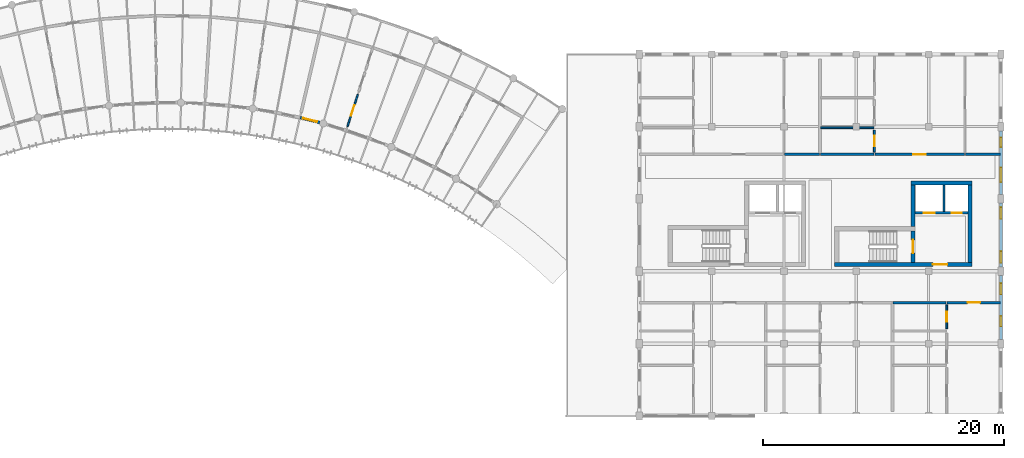
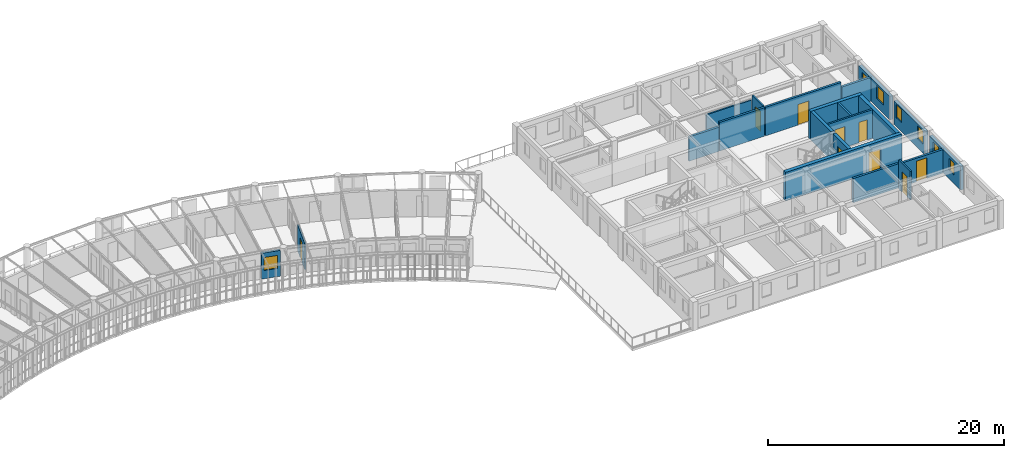
# One storey, part 80 of 101: 21 walls, 9 doors, 7 windows, 16 openings.
"""IFC4 building model written with IfcOpenShell, lengths in metres."""

import ifcopenshell
import ifcopenshell.guid

model = None  # the IFC model being written
_history = None  # IfcOwnerHistory: only IFC2X3 demands one
_inside = {}  # id of a spatial element -> (the spatial element, [elements in it])
_under = {}  # id of a project, library or spatial element -> (it, [spatial elements below it])
_declared = {}  # id of a project -> (the project, [libraries it declares])
_typed = {}  # id of a type object -> (the type object, [elements of that type])
_made_of = {}  # id of a material, layer set ... -> (it, [elements and type objects made of it])


def new_model(schema):
    """Start an empty IFC model of exactly this schema.

    Asked for "IFC4X3", IfcOpenShell would pick the latest addendum, in which some entities
    have other attributes; the version numbers below select the first issue.
    IFC2X3 requires an IfcOwnerHistory on every rooted entity: one is made here for all.
    """
    global model, _history
    if schema == "IFC4X3":
        model = ifcopenshell.file(schema_version=(4, 3, 0, 0))
    else:
        model = ifcopenshell.file(schema=schema)
    _inside.clear()
    _under.clear()
    _declared.clear()
    _typed.clear()
    _made_of.clear()
    _history = None
    if model.schema == "IFC2X3":
        org = make("IfcOrganization", Name="unknown")
        user = make(
            "IfcPersonAndOrganization",
            ThePerson=make("IfcPerson", FamilyName="unknown"),
            TheOrganization=org,
        )
        app = make(
            "IfcApplication",
            ApplicationDeveloper=org,
            Version="unknown",
            ApplicationFullName="unknown",
            ApplicationIdentifier="unknown",
        )
        _history = make(
            "IfcOwnerHistory",
            OwningUser=user,
            OwningApplication=app,
            ChangeAction="ADDED",
            CreationDate=0,
        )
    return model


def make(cls, **values):
    """One entity of the class cls with the attributes given. An attribute that is None is left unset."""
    return model.create_entity(
        cls, **{name: value for name, value in values.items() if value is not None}
    )


def rooted(cls, **values):
    """An entity with a GlobalId (a new one), such as an element, a storey or a relation."""
    return make(cls, GlobalId=ifcopenshell.guid.new(), OwnerHistory=_history, **values)


def si_unit(unit_type, name, prefix=None):
    """IfcSIUnit, for example si_unit("LENGTHUNIT", "METRE", prefix="MILLI")."""
    return make("IfcSIUnit", UnitType=unit_type, Prefix=prefix, Name=name)


def assignment(units):
    """IfcUnitAssignment: the units of a project."""
    return None if units is None else make("IfcUnitAssignment", Units=units)


def point(xyz):
    """IfcCartesianPoint."""
    return None if xyz is None else make("IfcCartesianPoint", Coordinates=xyz)


def direction(xyz):
    """IfcDirection."""
    return None if xyz is None else make("IfcDirection", DirectionRatios=xyz)


def frame(location, z_axis=None, x_axis=None):
    """IfcAxis2Placement3D, a coordinate frame: its origin and axes. An axis left out is left unset."""
    return make(
        "IfcAxis2Placement3D",
        Location=point(location),
        Axis=direction(z_axis),
        RefDirection=direction(x_axis),
    )


def frame_2d(location, x_axis=None):
    """IfcAxis2Placement2D, a coordinate frame in the plane: its origin and x axis."""
    return make(
        "IfcAxis2Placement2D", Location=point(location), RefDirection=direction(x_axis)
    )


def origin():
    """The frame at (0, 0, 0) with its axes left unset."""
    return frame((0.0, 0.0, 0.0))


def place(relative_to, where):
    """IfcLocalPlacement: puts the frame where relative to a parent placement (None: the world)."""
    return make(
        "IfcLocalPlacement", PlacementRelTo=relative_to, RelativePlacement=where
    )


def context(
    kind, dimensions, precision=None, world=None, true_north=None, identifier=None
):
    """IfcGeometricRepresentationContext, for example the 3D "Model" context."""
    return make(
        "IfcGeometricRepresentationContext",
        ContextIdentifier=identifier,
        ContextType=kind,
        CoordinateSpaceDimension=dimensions,
        Precision=precision,
        WorldCoordinateSystem=world,
        TrueNorth=true_north,
    )


def subcontext(parent, identifier, kind, view, scale=None):
    """IfcGeometricRepresentationSubContext, for example "Body" below "Model"."""
    return make(
        "IfcGeometricRepresentationSubContext",
        ContextIdentifier=identifier,
        ContextType=kind,
        ParentContext=parent,
        TargetScale=scale,
        TargetView=view,
    )


def project(units=None, contexts=None):
    """IfcProject with its units and contexts."""
    return rooted(
        "IfcProject",
        Name="project",
        RepresentationContexts=contexts,
        UnitsInContext=assignment(units),
    )


def spatial(cls, under=None, at=None, **own):
    """A site, building, storey or space (cls), placed at a placement, below another one or the project."""
    s = rooted(cls, ObjectPlacement=at, **own)
    if under is not None:
        _under.setdefault(under.id(), (under, []))[1].append(s)
    return s


def profile(cls, at=None, kind="AREA", **sizes):
    """A parametric profile (cls). Its sizes go by their IFC names, for example OverallWidth=200.0."""
    return make(cls, ProfileType=kind, Position=at, **sizes)


def rectangle(**sizes):
    """IfcRectangleProfileDef."""
    return profile("IfcRectangleProfileDef", **sizes)


def extrude(swept, where, along, depth):
    """IfcExtrudedAreaSolid: the profile swept, set in the frame where, extruded along a direction by depth."""
    return make(
        "IfcExtrudedAreaSolid",
        SweptArea=swept,
        Position=where,
        ExtrudedDirection=direction(along),
        Depth=depth,
    )


def shape(context_of_items, identifier, shape_type, items):
    """IfcShapeRepresentation: the items that make up one representation, for example the "Body"."""
    return make(
        "IfcShapeRepresentation",
        ContextOfItems=context_of_items,
        RepresentationIdentifier=identifier,
        RepresentationType=shape_type,
        Items=items,
    )


def material(Name=None, Category=None):
    """IfcMaterial."""
    return make("IfcMaterial", Name=Name, Category=Category)


def layer(
    of_material, thickness, ventilated=None, Name=None, Category=None, Priority=None
):
    """IfcMaterialLayer: one layer of a wall or slab, of a material (None: an air gap)."""
    return make(
        "IfcMaterialLayer",
        Material=of_material,
        LayerThickness=thickness,
        IsVentilated=ventilated,
        Name=Name,
        Category=Category,
        Priority=Priority,
    )


def layer_set(layers, Name=None):
    """IfcMaterialLayerSet."""
    return make("IfcMaterialLayerSet", MaterialLayers=layers, LayerSetName=Name)


def made_of(thing, what):
    """Note that an element or type object is made of a material, layer set ...; save() writes the relation."""
    if what is not None:
        _made_of.setdefault(what.id(), (what, []))[1].append(thing)
    return thing


def type_object(cls, material=None, **own):
    """A type object (cls), such as IfcWallType, which elements share."""
    return made_of(rooted(cls, **own), material)


def element(
    cls,
    number,
    at=None,
    inside=None,
    cuts=None,
    type_object=None,
    material=None,
    context=None,
    identifier="Body",
    shape_type=None,
    held_by="IfcProductDefinitionShape",
    body=None,
    shapes=None,
    **own,
):
    """One element of the class cls, such as IfcWall. Its Tag is "e" and its number.

    at: its placement. inside: the storey or other place that contains it. cuts: it is an
    opening in that element (IfcRelVoidsElement). A single representation is given by context,
    identifier, shape_type and body (its items); several are given by shapes. held_by: the class
    of the entity that holds the representations. save() writes the other relations.
    """
    e = rooted(cls, Tag="e%d" % number, ObjectPlacement=at, **own)
    if body is not None:
        shapes = [shape(context, identifier, shape_type, body)]
    if shapes is not None:
        e.Representation = make(held_by, Representations=shapes)
    if inside is not None:
        _inside.setdefault(inside.id(), (inside, []))[1].append(e)
    if cuts is not None:
        rooted(
            "IfcRelVoidsElement", RelatingBuildingElement=cuts, RelatedOpeningElement=e
        )
    if type_object is not None:
        _typed.setdefault(type_object.id(), (type_object, []))[1].append(e)
    return made_of(e, material)


def fill(opening, filler):
    """IfcRelFillsElement: the door or window that sits in an opening."""
    return rooted(
        "IfcRelFillsElement",
        RelatingOpeningElement=opening,
        RelatedBuildingElement=filler,
    )


def aggregate(whole, parts):
    """IfcRelAggregates: a whole, such as a stair, and the parts it consists of."""
    return rooted("IfcRelAggregates", RelatingObject=whole, RelatedObjects=parts)


def save(model, path):
    """Write the relations noted so far, then the file.

    IfcRelAggregates (storeys below a building ...), IfcRelContainedInSpatialStructure (elements
    in a storey), IfcRelDefinesByType, IfcRelAssociatesMaterial and IfcRelDeclares: one each for
    every whole, place, type object, material and project.
    """
    for whole, parts in _under.values():
        aggregate(whole, parts)
    for where, things in _inside.values():
        rooted(
            "IfcRelContainedInSpatialStructure",
            RelatedElements=things,
            RelatingStructure=where,
        )
    for kind, things in _typed.values():
        rooted("IfcRelDefinesByType", RelatedObjects=things, RelatingType=kind)
    for what, things in _made_of.values():
        rooted("IfcRelAssociatesMaterial", RelatedObjects=things, RelatingMaterial=what)
    for by, libraries in _declared.values():
        rooted("IfcRelDeclares", RelatingContext=by, RelatedDefinitions=libraries)
    model.write(path)


model = new_model("IFC4")

# Units and contexts
model_context = context("Model", 3, precision=1e-05, world=origin(), true_north=direction((0.0, 1.0)))
body_context = subcontext(model_context, "Body", "Model", "MODEL_VIEW")
ifc_project = project(units=[si_unit("LENGTHUNIT", "METRE"), si_unit("AREAUNIT", "SQUARE_METRE"), si_unit("VOLUMEUNIT", "CUBIC_METRE"), si_unit("PLANEANGLEUNIT", "RADIAN"), si_unit("MASSUNIT", "GRAM", prefix="KILO"), si_unit("POWERUNIT", "WATT"), si_unit("THERMODYNAMICTEMPERATUREUNIT", "KELVIN")], contexts=[model_context])

# Site, building, storey
site_placement = place(None, origin())
site = spatial("IfcSite", under=ifc_project, at=site_placement, CompositionType="ELEMENT")
building_placement = place(site_placement, origin())
building = spatial("IfcBuilding", under=site, at=building_placement, Name="Ruvembo Vaulted Housing Court", CompositionType="ELEMENT")
storey_placement = place(building_placement, frame((0.0, 0.0, 17.300048828125)))
storey = spatial("IfcBuildingStorey", under=building, at=storey_placement, Name="L05", CompositionType="ELEMENT", Elevation=17.300048828125)

# Wall, opening, door
ifc_material_1 = material(Name="Concrete C35/45", Category="concrete")
ifc_layer_1 = layer(ifc_material_1, 0.300048828125, Name="Concrete C35/45")
ifc_layer_set_1 = layer_set([ifc_layer_1], Name="Concrete C35/45")
wall_type_1 = type_object("IfcWallType", Name="WL-CORE-300", PredefinedType="SHEAR", material=ifc_layer_set_1)
wall_1_placement = place(storey_placement, frame((178.699951171875, 84.75, 0.0), z_axis=(0.0, 0.0, 1.0), x_axis=(0.0, 1.0, 0.0)))
wall_1 = element("IfcWall", 1, at=wall_1_placement, inside=storey, type_object=wall_type_1, Name="Core D2 L05 Stair-Lobby Shear Wall", PredefinedType="SHEAR", context=body_context, shape_type="SweptSolid", body=[
    extrude(rectangle(XDim=2.60009765625, YDim=0.300048828125, at=frame_2d((1.300048828125, 0.0))), origin(), (0.0, 0.0, 1.0), 2.96484375),
])
opening_1_placement = place(wall_1_placement, frame((0.75, 0.0, 0.0)))
opening_1 = element("IfcOpeningElement", 2, at=opening_1_placement, cuts=wall_1, Name="Opening SD2", PredefinedType="OPENING", context=body_context, shape_type="SweptSolid", body=[
    extrude(rectangle(XDim=1.10009765625, YDim=2.14990234375, at=frame_2d((0.550048828125, 1.074951171875))), frame((0.0, 0.159912109375, 0.0), z_axis=(0.0, -1.0, 0.0), x_axis=(1.0, 0.0, 0.0)), (0.0, 0.0, 1.0), 0.320068359375),
])
ifc_material_2 = material(Name="Galvanised Painted Steel", Category="steel")
door_type_1 = type_object("IfcDoorType", Name="DR-STAIR-1100x2150", OperationType="NOTDEFINED", PredefinedType="DOOR", material=ifc_material_2)
door_1_placement = place(opening_1_placement, origin())
door_1 = element("IfcDoor", 3, at=door_1_placement, inside=storey, type_object=door_type_1, Name="Stair ST-D2 L05 Fire Door", OperationType="SINGLE_SWING_RIGHT", OverallHeight=2.14990234375, OverallWidth=1.10009765625, PredefinedType="DOOR", context=body_context, shape_type="SweptSolid", body=[
    extrude(rectangle(XDim=1.10009765625, YDim=2.14990234375, at=frame_2d((0.550048828125, 1.074951171875))), frame((0.0, 0.02490234375, 0.0), z_axis=(0.0, -1.0, 0.0), x_axis=(1.0, 0.0, 0.0)), (0.0, 0.0, 1.0), 0.050048828125),
])
fill(opening_1, door_1)

# Wall
wall_2_placement = place(storey_placement, frame((178.699951171875, 87.699951171875, 0.0), z_axis=(0.0, 0.0, 1.0), x_axis=(0.0, 1.0, 0.0)))
element("IfcWall", 4, at=wall_2_placement, inside=storey, type_object=wall_type_1, Name="Core D2 L05 Upper West Shear Wall", PredefinedType="SHEAR", context=body_context, shape_type="SweptSolid", body=[
    extrude(rectangle(XDim=3.449951171875, YDim=0.300048828125, at=frame_2d((1.72509765625, 0.0))), origin(), (0.0, 0.0, 1.0), 2.96484375),
])

# Wall, opening, door
ifc_layer_2 = layer(ifc_material_1, 0.35009765625, Name="Concrete C35/45")
ifc_layer_set_2 = layer_set([ifc_layer_2], Name="Concrete C35/45")
wall_type_2 = type_object("IfcWallType", Name="WL-CORE-350", PredefinedType="SHEAR", material=ifc_layer_set_2)
wall_3_placement = place(storey_placement, frame((172.199951171875, 84.574951171875, 0.0), z_axis=(0.0, 0.0, 1.0), x_axis=(1.0, 0.0, 0.0)))
wall_3 = element("IfcWall", 5, at=wall_3_placement, inside=storey, type_object=wall_type_2, Name="Core D2 L05 South Shear Wall", PredefinedType="SHEAR", context=body_context, shape_type="SweptSolid", body=[
    extrude(rectangle(XDim=11.400146484375, YDim=0.35009765625, at=frame_2d((5.7001953125, 0.0))), origin(), (0.0, 0.0, 1.0), 2.96484375),
])
opening_2_placement = place(wall_3_placement, frame((8.14990234375, 0.0, 0.0)))
opening_2 = element("IfcOpeningElement", 6, at=opening_2_placement, cuts=wall_3, Name="Opening LD3", PredefinedType="OPENING", context=body_context, shape_type="SweptSolid", body=[
    extrude(rectangle(XDim=1.199951171875, YDim=2.14990234375, at=frame_2d((0.60009765625, 1.074951171875))), frame((0.0, 0.18505859375, 0.0), z_axis=(0.0, -1.0, 0.0), x_axis=(1.0, 0.0, 0.0)), (0.0, 0.0, 1.0), 0.3701171875),
])
door_type_2 = type_object("IfcDoorType", Name="DR-LOB-1200x2150", OperationType="NOTDEFINED", PredefinedType="DOOR", material=ifc_material_2)
door_2_placement = place(opening_2_placement, origin())
door_2 = element("IfcDoor", 7, at=door_2_placement, inside=storey, type_object=door_type_2, Name="Core D2 L05 Lobby Fire Door", OperationType="SINGLE_SWING_LEFT", OverallHeight=2.14990234375, OverallWidth=1.199951171875, PredefinedType="DOOR", context=body_context, shape_type="SweptSolid", body=[
    extrude(rectangle(XDim=1.199951171875, YDim=2.14990234375, at=frame_2d((0.60009765625, 1.074951171875))), frame((0.0, 0.02490234375, 0.0), z_axis=(0.0, -1.0, 0.0), x_axis=(1.0, 0.0, 0.0)), (0.0, 0.0, 1.0), 0.050048828125),
])
fill(opening_2, door_2)

# Walls
wall_4_placement = place(storey_placement, frame((183.60009765625, 91.324951171875, 0.0), z_axis=(0.0, 0.0, 1.0), x_axis=(-1.0, 0.0, 0.0)))
element("IfcWall", 8, at=wall_4_placement, inside=storey, type_object=wall_type_2, Name="Core D2 L05 North Shear Wall", PredefinedType="SHEAR", context=body_context, shape_type="SweptSolid", body=[
    extrude(rectangle(XDim=5.050048828125, YDim=0.35009765625, at=frame_2d((2.52490234375, 0.0))), origin(), (0.0, 0.0, 1.0), 2.96484375),
])
wall_5_placement = place(storey_placement, frame((183.425048828125, 84.75, 0.0), z_axis=(0.0, 0.0, 1.0), x_axis=(0.0, 1.0, 0.0)))
element("IfcWall", 9, at=wall_5_placement, inside=storey, type_object=wall_type_2, Name="Core D2 L05 East Shear Wall", PredefinedType="SHEAR", context=body_context, shape_type="SweptSolid", body=[
    extrude(rectangle(XDim=6.39990234375, YDim=0.35009765625, at=frame_2d((3.199951171875, 0.0))), origin(), (0.0, 0.0, 1.0), 2.96484375),
])
ifc_material_3 = material(Name="Concrete Blockwork 210", Category="masonry")
ifc_layer_3 = layer(ifc_material_3, 0.2099609375, Name="Concrete Blockwork 210")
ifc_layer_set_3 = layer_set([ifc_layer_3], Name="Concrete Blockwork 210")
wall_type_3 = type_object("IfcWallType", Name="WL-CORR-210", PredefinedType="SOLIDWALL", material=ifc_layer_set_3)
wall_6_placement = place(storey_placement, frame((177.0400390625, 81.39990234375, 0.0), z_axis=(0.0, 0.0, 1.0), x_axis=(1.0, 0.0, 0.0)))
element("IfcWall", 10, at=wall_6_placement, inside=storey, type_object=wall_type_3, Name="L05 Flat D-L05-S3 Corridor Wall WL-INT-L05-01552", PredefinedType="SOLIDWALL", context=body_context, shape_type="SweptSolid", body=[
    extrude(rectangle(XDim=4.419921875, YDim=0.2099609375, at=frame_2d((2.2099609375, 0.0))), origin(), (0.0, 0.0, 1.0), 2.508056640625),
])

# Wall, opening, door
wall_7_placement = place(storey_placement, frame((181.5400390625, 81.39990234375, 0.0), z_axis=(0.0, 0.0, 1.0), x_axis=(1.0, 0.0, 0.0)))
wall_7 = element("IfcWall", 11, at=wall_7_placement, inside=storey, type_object=wall_type_3, Name="L05 Flat D-L05-S3 Entrance WL-INT-L05-01553", PredefinedType="SOLIDWALL", context=body_context, shape_type="SweptSolid", body=[
    extrude(rectangle(XDim=4.419921875, YDim=0.2099609375, at=frame_2d((2.2099609375, 0.0))), origin(), (0.0, 0.0, 1.0), 2.447021484375),
])
opening_3_placement = place(wall_7_placement, frame((1.68505859375, 0.0, 0.0)))
opening_3 = element("IfcOpeningElement", 12, at=opening_3_placement, cuts=wall_7, Name="Opening FD3", PredefinedType="OPENING", context=body_context, shape_type="SweptSolid", body=[
    extrude(rectangle(XDim=1.050048828125, YDim=2.14990234375, at=frame_2d((0.52490234375, 1.074951171875))), frame((0.0, 0.114990234375, 0.0), z_axis=(0.0, -1.0, 0.0), x_axis=(1.0, 0.0, 0.0)), (0.0, 0.0, 1.0), 0.22998046875),
])
ifc_material_4 = material(Name="FSC Hardwood and Engineered Timber", Category="wood")
door_type_3 = type_object("IfcDoorType", Name="DR-FLAT-1050x2150", OperationType="NOTDEFINED", PredefinedType="DOOR", material=ifc_material_4)
door_3_placement = place(opening_3_placement, origin())
door_3 = element("IfcDoor", 13, at=door_3_placement, inside=storey, type_object=door_type_3, Name="L05 Flat D-L05-S3 Entrance Door DR-INT-L05-00869", OperationType="SINGLE_SWING_LEFT", OverallHeight=2.14990234375, OverallWidth=1.050048828125, PredefinedType="DOOR", context=body_context, shape_type="SweptSolid", body=[
    extrude(rectangle(XDim=1.050048828125, YDim=2.14990234375, at=frame_2d((0.52490234375, 1.074951171875))), frame((0.0, 0.02490234375, 0.0), z_axis=(0.0, -1.0, 0.0), x_axis=(1.0, 0.0, 0.0)), (0.0, 0.0, 1.0), 0.050048828125),
])
fill(opening_3, door_3)

# Walls
wall_8_placement = place(storey_placement, frame((168.0400390625, 93.699951171875, 0.0), z_axis=(0.0, 0.0, 1.0), x_axis=(1.0, 0.0, 0.0)))
element("IfcWall", 14, at=wall_8_placement, inside=storey, type_object=wall_type_3, Name="L05 Flat D-L05-N1 Corridor Wall 2 WL-INT-L05-01567", PredefinedType="SOLIDWALL", context=body_context, shape_type="SweptSolid", body=[
    extrude(rectangle(XDim=2.919921875, YDim=0.2099609375, at=frame_2d((1.4599609375, 0.0))), origin(), (0.0, 0.0, 1.0), 2.508056640625),
])
wall_9_placement = place(storey_placement, frame((171.0400390625, 93.699951171875, 0.0), z_axis=(0.0, 0.0, 1.0), x_axis=(1.0, 0.0, 0.0)))
element("IfcWall", 15, at=wall_9_placement, inside=storey, type_object=wall_type_3, Name="L05 Flat D-L05-N2 Corridor Wall WL-INT-L05-01569", PredefinedType="SOLIDWALL", context=body_context, shape_type="SweptSolid", body=[
    extrude(rectangle(XDim=4.419921875, YDim=0.2099609375, at=frame_2d((2.2099609375, 0.0))), origin(), (0.0, 0.0, 1.0), 2.96484375),
])

# Wall, opening, door
wall_10_placement = place(storey_placement, frame((175.5400390625, 93.699951171875, 0.0), z_axis=(0.0, 0.0, 1.0), x_axis=(1.0, 0.0, 0.0)))
wall_10 = element("IfcWall", 16, at=wall_10_placement, inside=storey, type_object=wall_type_3, Name="L05 Flat D-L05-N2 Entrance WL-INT-L05-01570", PredefinedType="SOLIDWALL", context=body_context, shape_type="SweptSolid", body=[
    extrude(rectangle(XDim=7.419921875, YDim=0.2099609375, at=frame_2d((3.7099609375, 0.0))), origin(), (0.0, 0.0, 1.0), 2.96484375),
])
opening_4_placement = place(wall_10_placement, frame((3.18505859375, 0.0, 0.0)))
opening_4 = element("IfcOpeningElement", 17, at=opening_4_placement, cuts=wall_10, Name="Opening FD3", PredefinedType="OPENING", context=body_context, shape_type="SweptSolid", body=[
    extrude(rectangle(XDim=1.050048828125, YDim=2.14990234375, at=frame_2d((0.52490234375, 1.074951171875))), frame((0.0, 0.114990234375, 0.0), z_axis=(0.0, -1.0, 0.0), x_axis=(1.0, 0.0, 0.0)), (0.0, 0.0, 1.0), 0.22998046875),
])
door_4_placement = place(opening_4_placement, origin())
door_4 = element("IfcDoor", 18, at=door_4_placement, inside=storey, type_object=door_type_3, Name="L05 Flat D-L05-N2 Entrance Door DR-INT-L05-00878", OperationType="SINGLE_SWING_RIGHT", OverallHeight=2.14990234375, OverallWidth=1.050048828125, PredefinedType="DOOR", context=body_context, shape_type="SweptSolid", body=[
    extrude(rectangle(XDim=1.050048828125, YDim=2.14990234375, at=frame_2d((0.52490234375, 1.074951171875))), frame((0.0, 0.02490234375, 0.0), z_axis=(0.0, -1.0, 0.0), x_axis=(1.0, 0.0, 0.0)), (0.0, 0.0, 1.0), 0.050048828125),
])
fill(opening_4, door_4)

# Wall
wall_11_placement = place(storey_placement, frame((183.0400390625, 93.699951171875, 0.0), z_axis=(0.0, 0.0, 1.0), x_axis=(1.0, 0.0, 0.0)))
element("IfcWall", 19, at=wall_11_placement, inside=storey, type_object=wall_type_3, Name="L05 Flat D-L05-N2 Corridor Wall 2 WL-INT-L05-01576", PredefinedType="SOLIDWALL", context=body_context, shape_type="SweptSolid", body=[
    extrude(rectangle(XDim=2.919921875, YDim=0.2099609375, at=frame_2d((1.4599609375, 0.0))), origin(), (0.0, 0.0, 1.0), 2.447021484375),
])

# Wall, opening, window
ifc_material_5 = material(Name="Rendered Masonry 235", Category="masonry")
ifc_layer_4 = layer(ifc_material_5, 0.235107421875, Name="Rendered Masonry 235")
ifc_layer_set_4 = layer_set([ifc_layer_4], Name="Rendered Masonry 235")
wall_type_4 = type_object("IfcWallType", Name="WL-EXT-235", PredefinedType="STANDARD", material=ifc_layer_set_4)
wall_12_placement = place(storey_placement, frame((127.88330078125, 96.74951171875, 0.0), z_axis=(0.0, 0.0, 1.0), x_axis=(0.969120648535, -0.246587040581, 0.0)))
wall_12 = element("IfcWall", 20, at=wall_12_placement, inside=storey, type_object=wall_type_4, Name="Scoop SC3 L05 Concave Balcony Wall 20", PredefinedType="STANDARD", context=body_context, shape_type="SweptSolid", body=[
    extrude(rectangle(XDim=1.67236328125, YDim=0.235107421875, at=frame_2d((0.836181640625, 0.0))), origin(), (0.0, 0.0, 1.0), 2.676025390625),
])
opening_5_placement = place(wall_12_placement, frame((0.236083984375, 0.0, 0.85009765625)))
opening_5 = element("IfcOpeningElement", 21, at=opening_5_placement, cuts=wall_12, Name="Opening W12", PredefinedType="OPENING", context=body_context, shape_type="SweptSolid", body=[
    extrude(rectangle(XDim=1.199951171875, YDim=1.35009765625, at=frame_2d((0.60009765625, 0.675048828125))), frame((0.0, 0.12744140625, 0.0), z_axis=(0.0, -1.0, 0.0), x_axis=(1.0, 0.0, 0.0)), (0.0, 0.0, 1.0), 0.255126953125),
])
ifc_material_6 = material(Name="Double Solar-Control Glazing in Aluminium Frame", Category="aluminium")
window_type_1 = type_object("IfcWindowType", Name="WIN-1200x1350", PartitioningType="SINGLE_PANEL", PredefinedType="WINDOW", material=ifc_material_6)
window_1_placement = place(opening_5_placement, origin())
window_1 = element("IfcWindow", 22, at=window_1_placement, inside=storey, type_object=window_type_1, Name="Scoop SC3 L05 Concave Window 20", OverallHeight=1.35009765625, OverallWidth=1.199951171875, PartitioningType="SINGLE_PANEL", PredefinedType="WINDOW", context=body_context, shape_type="SweptSolid", body=[
    extrude(rectangle(XDim=1.199951171875, YDim=1.35009765625, at=frame_2d((0.60009765625, 0.675048828125))), frame((0.0, 0.030029296875, 0.0), z_axis=(0.0, -1.0, 0.0), x_axis=(1.0, 0.0, 0.0)), (0.0, 0.0, 1.0), 0.06005859375),
])
fill(opening_5, window_1)

# Wall, openings, windows
ifc_material_7 = material(Name="Rendered Masonry 285", Category="masonry")
ifc_layer_5 = layer(ifc_material_7, 0.284912109375, Name="Rendered Masonry 285")
ifc_layer_set_5 = layer_set([ifc_layer_5], Name="Rendered Masonry 285")
wall_type_5 = type_object("IfcWallType", Name="WL-EXT-285", PredefinedType="STANDARD", material=ifc_layer_set_5)
wall_13_placement = place(storey_placement, frame((186.0, 78.35009765625, 0.0), z_axis=(0.0, 0.0, 1.0), x_axis=(0.0, 1.0, 0.0)))
wall_13 = element("IfcWall", 23, at=wall_13_placement, inside=storey, type_object=wall_type_5, Name="Block D L05 Exterior Wall EAST #2", PredefinedType="STANDARD", context=body_context, shape_type="SweptSolid", body=[
    extrude(rectangle(XDim=5.2998046875, YDim=0.284912109375, at=frame_2d((2.64990234375, 0.0))), origin(), (0.0, 0.0, 1.0), 2.447021484375),
])
opening_6_placement = place(wall_13_placement, frame((1.080078125, 0.0, 0.89990234375)))
opening_6 = element("IfcOpeningElement", 24, at=opening_6_placement, cuts=wall_13, Name="Opening W03", PredefinedType="OPENING", context=body_context, shape_type="SweptSolid", body=[
    extrude(rectangle(XDim=0.85009765625, YDim=1.25, at=frame_2d((0.425048828125, 0.625))), frame((0.0, 0.15234375, 0.0), z_axis=(0.0, -1.0, 0.0), x_axis=(1.0, 0.0, 0.0)), (0.0, 0.0, 1.0), 0.304931640625),
])
opening_7_placement = place(wall_13_placement, frame((3.7451171875, 0.0, 0.89990234375)))
opening_7 = element("IfcOpeningElement", 25, at=opening_7_placement, cuts=wall_13, Name="Opening W04", PredefinedType="OPENING", context=body_context, shape_type="SweptSolid", body=[
    extrude(rectangle(XDim=0.89990234375, YDim=1.300048828125, at=frame_2d((0.449951171875, 0.64990234375))), frame((0.0, 0.15234375, 0.0), z_axis=(0.0, -1.0, 0.0), x_axis=(1.0, 0.0, 0.0)), (0.0, 0.0, 1.0), 0.304931640625),
])
window_type_2 = type_object("IfcWindowType", Name="WIN-0850x1250", PartitioningType="SINGLE_PANEL", PredefinedType="WINDOW", material=ifc_material_6)
window_2_placement = place(opening_6_placement, origin())
window_2 = element("IfcWindow", 26, at=window_2_placement, inside=storey, type_object=window_type_2, Name="Block D L05 Window #1675", OverallHeight=1.25, OverallWidth=0.85009765625, PartitioningType="SINGLE_PANEL", PredefinedType="WINDOW", context=body_context, shape_type="SweptSolid", body=[
    extrude(rectangle(XDim=0.85009765625, YDim=1.25, at=frame_2d((0.425048828125, 0.625))), frame((0.0, 0.030029296875, 0.0), z_axis=(0.0, -1.0, 0.0), x_axis=(1.0, 0.0, 0.0)), (0.0, 0.0, 1.0), 0.06005859375),
])
fill(opening_6, window_2)
window_type_3 = type_object("IfcWindowType", Name="WIN-0900x1300", PartitioningType="SINGLE_PANEL", PredefinedType="WINDOW", material=ifc_material_6)
window_3_placement = place(opening_7_placement, origin())
window_3 = element("IfcWindow", 27, at=window_3_placement, inside=storey, type_object=window_type_3, Name="Block D L05 Window #1676", OverallHeight=1.300048828125, OverallWidth=0.89990234375, PartitioningType="SINGLE_PANEL", PredefinedType="WINDOW", context=body_context, shape_type="SweptSolid", body=[
    extrude(rectangle(XDim=0.89990234375, YDim=1.300048828125, at=frame_2d((0.449951171875, 0.64990234375))), frame((0.0, 0.030029296875, 0.0), z_axis=(0.0, -1.0, 0.0), x_axis=(1.0, 0.0, 0.0)), (0.0, 0.0, 1.0), 0.06005859375),
])
fill(opening_7, window_3)

wall_14_placement = place(storey_placement, frame((186.0, 84.35009765625, 0.0), z_axis=(0.0, 0.0, 1.0), x_axis=(0.0, 1.0, 0.0)))
wall_14 = element("IfcWall", 28, at=wall_14_placement, inside=storey, type_object=wall_type_5, Name="Block D L05 Exterior Wall EAST #3", PredefinedType="STANDARD", context=body_context, shape_type="SweptSolid", body=[
    extrude(rectangle(XDim=5.2998046875, YDim=0.284912109375, at=frame_2d((2.64990234375, 0.0))), origin(), (0.0, 0.0, 1.0), 2.447021484375),
])
opening_8_placement = place(wall_14_placement, frame((0.35009765625, 0.0, 0.89990234375)))
opening_8 = element("IfcOpeningElement", 29, at=opening_8_placement, cuts=wall_14, Name="Opening W07", PredefinedType="OPENING", context=body_context, shape_type="SweptSolid", body=[
    extrude(rectangle(XDim=0.949951171875, YDim=1.35009765625, at=frame_2d((0.47509765625, 0.675048828125))), frame((0.0, 0.15234375, 0.0), z_axis=(0.0, -1.0, 0.0), x_axis=(1.0, 0.0, 0.0)), (0.0, 0.0, 1.0), 0.304931640625),
])
opening_9_placement = place(wall_14_placement, frame((4.0, 0.0, 0.89990234375)))
opening_9 = element("IfcOpeningElement", 30, at=opening_9_placement, cuts=wall_14, Name="Opening W07", PredefinedType="OPENING", context=body_context, shape_type="SweptSolid", body=[
    extrude(rectangle(XDim=0.949951171875, YDim=1.35009765625, at=frame_2d((0.47509765625, 0.675048828125))), frame((0.0, 0.15234375, 0.0), z_axis=(0.0, -1.0, 0.0), x_axis=(1.0, 0.0, 0.0)), (0.0, 0.0, 1.0), 0.304931640625),
])
window_type_4 = type_object("IfcWindowType", Name="WIN-0950x1350", PartitioningType="SINGLE_PANEL", PredefinedType="WINDOW", material=ifc_material_6)
window_4_placement = place(opening_8_placement, origin())
window_4 = element("IfcWindow", 31, at=window_4_placement, inside=storey, type_object=window_type_4, Name="Block D L05 Window #1677", OverallHeight=1.35009765625, OverallWidth=0.949951171875, PartitioningType="SINGLE_PANEL", PredefinedType="WINDOW", context=body_context, shape_type="SweptSolid", body=[
    extrude(rectangle(XDim=0.949951171875, YDim=1.35009765625, at=frame_2d((0.47509765625, 0.675048828125))), frame((0.0, 0.030029296875, 0.0), z_axis=(0.0, -1.0, 0.0), x_axis=(1.0, 0.0, 0.0)), (0.0, 0.0, 1.0), 0.06005859375),
])
fill(opening_8, window_4)
window_5_placement = place(opening_9_placement, origin())
window_5 = element("IfcWindow", 32, at=window_5_placement, inside=storey, type_object=window_type_4, Name="Block D L05 Window #1678", OverallHeight=1.35009765625, OverallWidth=0.949951171875, PartitioningType="SINGLE_PANEL", PredefinedType="WINDOW", context=body_context, shape_type="SweptSolid", body=[
    extrude(rectangle(XDim=0.949951171875, YDim=1.35009765625, at=frame_2d((0.47509765625, 0.675048828125))), frame((0.0, 0.030029296875, 0.0), z_axis=(0.0, -1.0, 0.0), x_axis=(1.0, 0.0, 0.0)), (0.0, 0.0, 1.0), 0.06005859375),
])
fill(opening_9, window_5)

wall_15_placement = place(storey_placement, frame((186.0, 90.35009765625, 0.0), z_axis=(0.0, 0.0, 1.0), x_axis=(0.0, 1.0, 0.0)))
wall_15 = element("IfcWall", 33, at=wall_15_placement, inside=storey, type_object=wall_type_5, Name="Block D L05 Exterior Wall EAST #4", PredefinedType="STANDARD", context=body_context, shape_type="SweptSolid", body=[
    extrude(rectangle(XDim=5.2998046875, YDim=0.284912109375, at=frame_2d((2.64990234375, 0.0))), origin(), (0.0, 0.0, 1.0), 2.447021484375),
])
opening_10_placement = place(wall_15_placement, frame((1.054931640625, 0.0, 0.89990234375)))
opening_10 = element("IfcOpeningElement", 34, at=opening_10_placement, cuts=wall_15, Name="Opening W12", PredefinedType="OPENING", context=body_context, shape_type="SweptSolid", body=[
    extrude(rectangle(XDim=1.199951171875, YDim=1.35009765625, at=frame_2d((0.60009765625, 0.675048828125))), frame((0.0, 0.15234375, 0.0), z_axis=(0.0, -1.0, 0.0), x_axis=(1.0, 0.0, 0.0)), (0.0, 0.0, 1.0), 0.304931640625),
])
opening_11_placement = place(wall_15_placement, frame((3.945068359375, 0.0, 0.89990234375)))
opening_11 = element("IfcOpeningElement", 35, at=opening_11_placement, cuts=wall_15, Name="Opening W02", PredefinedType="OPENING", context=body_context, shape_type="SweptSolid", body=[
    extrude(rectangle(XDim=0.800048828125, YDim=1.199951171875, at=frame_2d((0.39990234375, 0.60009765625))), frame((0.0, 0.15234375, 0.0), z_axis=(0.0, -1.0, 0.0), x_axis=(1.0, 0.0, 0.0)), (0.0, 0.0, 1.0), 0.304931640625),
])
window_type_5 = type_object("IfcWindowType", Name="WIN-0800x1200", PartitioningType="SINGLE_PANEL", PredefinedType="WINDOW", material=ifc_material_6)
window_6_placement = place(opening_11_placement, origin())
window_6 = element("IfcWindow", 36, at=window_6_placement, inside=storey, type_object=window_type_5, Name="Block D L05 Window #1680", OverallHeight=1.199951171875, OverallWidth=0.800048828125, PartitioningType="SINGLE_PANEL", PredefinedType="WINDOW", context=body_context, shape_type="SweptSolid", body=[
    extrude(rectangle(XDim=0.800048828125, YDim=1.199951171875, at=frame_2d((0.39990234375, 0.60009765625))), frame((0.0, 0.030029296875, 0.0), z_axis=(0.0, -1.0, 0.0), x_axis=(1.0, 0.0, 0.0)), (0.0, 0.0, 1.0), 0.06005859375),
])
fill(opening_11, window_6)
window_7_placement = place(opening_10_placement, origin())
window_7 = element("IfcWindow", 37, at=window_7_placement, inside=storey, type_object=window_type_1, Name="Block D L05 Window #1679", OverallHeight=1.35009765625, OverallWidth=1.199951171875, PartitioningType="SINGLE_PANEL", PredefinedType="WINDOW", context=body_context, shape_type="SweptSolid", body=[
    extrude(rectangle(XDim=1.199951171875, YDim=1.35009765625, at=frame_2d((0.60009765625, 0.675048828125))), frame((0.0, 0.030029296875, 0.0), z_axis=(0.0, -1.0, 0.0), x_axis=(1.0, 0.0, 0.0)), (0.0, 0.0, 1.0), 0.06005859375),
])
fill(opening_10, window_7)

# Wall, opening, door
ifc_material_8 = material(Name="Acoustic Stud Partition 135", Category="gypsum")
ifc_layer_6 = layer(ifc_material_8, 0.135009765625, Name="Acoustic Stud Partition 135")
ifc_layer_set_6 = layer_set([ifc_layer_6], Name="Acoustic Stud Partition 135")
wall_type_6 = type_object("IfcWallType", Name="WL-PART-135", PredefinedType="PARTITIONING", material=ifc_layer_set_6)
wall_16_placement = place(storey_placement, frame((131.80419921875, 96.0048828125, 0.0), z_axis=(0.0, 0.0, 1.0), x_axis=(0.306243449584, 0.951953228676, 0.0)))
wall_16 = element("IfcWall", 38, at=wall_16_placement, inside=storey, type_object=wall_type_6, Name="L05 Suite SC3-L05-U6 Bedroom WL-INT-L05-01680", PredefinedType="PARTITIONING", context=body_context, shape_type="SweptSolid", body=[
    extrude(rectangle(XDim=2.7998046875, YDim=0.135009765625, at=frame_2d((1.39990234375, 0.0))), origin(), (0.0, 0.0, 1.0), 2.75390625),
])
opening_12_placement = place(wall_16_placement, frame((0.949951171875, 0.0, 0.0)))
opening_12 = element("IfcOpeningElement", 39, at=opening_12_placement, cuts=wall_16, Name="Opening ID1", PredefinedType="OPENING", context=body_context, shape_type="SweptSolid", body=[
    extrude(rectangle(XDim=0.89990234375, YDim=2.10009765625, at=frame_2d((0.449951171875, 1.050048828125))), frame((0.0, 0.077392578125, 0.0), z_axis=(0.0, -1.0, 0.0), x_axis=(1.0, 0.0, 0.0)), (0.0, 0.0, 1.0), 0.155029296875),
])
door_type_4 = type_object("IfcDoorType", Name="DR-ROOM-0900x2100", OperationType="NOTDEFINED", PredefinedType="DOOR", material=ifc_material_4)
door_5_placement = place(opening_12_placement, origin())
door_5 = element("IfcDoor", 40, at=door_5_placement, inside=storey, type_object=door_type_4, Name="L05 Suite SC3-L05-U6 Bedroom Door DR-INT-L05-00952", OperationType="SINGLE_SWING_RIGHT", OverallHeight=2.10009765625, OverallWidth=0.89990234375, PredefinedType="DOOR", context=body_context, shape_type="SweptSolid", body=[
    extrude(rectangle(XDim=0.89990234375, YDim=2.10009765625, at=frame_2d((0.449951171875, 1.050048828125))), frame((0.0, 0.02490234375, 0.0), z_axis=(0.0, -1.0, 0.0), x_axis=(1.0, 0.0, 0.0)), (0.0, 0.0, 1.0), 0.050048828125),
])
fill(opening_12, door_5)

ifc_material_9 = material(Name="Moisture-Resistant Wet Partition 150", Category="gypsum")
ifc_layer_7 = layer(ifc_material_9, 0.14990234375, Name="Moisture-Resistant Wet Partition 150")
ifc_layer_set_7 = layer_set([ifc_layer_7], Name="Moisture-Resistant Wet Partition 150")
wall_type_7 = type_object("IfcWallType", Name="WL-PART-150", PredefinedType="PARTITIONING", material=ifc_layer_set_7)
wall_17_placement = place(storey_placement, frame((181.5, 79.239990234375, 0.0), z_axis=(0.0, 0.0, 1.0), x_axis=(0.0, 1.0, 0.0)))
wall_17 = element("IfcWall", 41, at=wall_17_placement, inside=storey, type_object=wall_type_7, Name="L05 Flat D-L05-S3 Bathroom WL-INT-L05-01556", PredefinedType="PARTITIONING", context=body_context, shape_type="SweptSolid", body=[
    extrude(rectangle(XDim=1.969970703125, YDim=0.14990234375, at=frame_2d((0.98486328125, 0.0))), origin(), (0.0, 0.0, 1.0), 2.96484375),
])
opening_13_placement = place(wall_17_placement, frame((0.56005859375, 0.0, 0.0)))
opening_13 = element("IfcOpeningElement", 42, at=opening_13_placement, cuts=wall_17, Name="Opening ID2", PredefinedType="OPENING", context=body_context, shape_type="SweptSolid", body=[
    extrude(rectangle(XDim=0.85009765625, YDim=2.10009765625, at=frame_2d((0.425048828125, 1.050048828125))), frame((0.0, 0.0849609375, 0.0), z_axis=(0.0, -1.0, 0.0), x_axis=(1.0, 0.0, 0.0)), (0.0, 0.0, 1.0), 0.169921875),
])
door_type_5 = type_object("IfcDoorType", Name="DR-WET-0850x2100", OperationType="NOTDEFINED", PredefinedType="DOOR", material=ifc_material_4)
door_6_placement = place(opening_13_placement, origin())
door_6 = element("IfcDoor", 43, at=door_6_placement, inside=storey, type_object=door_type_5, Name="L05 Flat D-L05-S3 Bathroom Door DR-INT-L05-00872", OperationType="SINGLE_SWING_RIGHT", OverallHeight=2.10009765625, OverallWidth=0.85009765625, PredefinedType="DOOR", context=body_context, shape_type="SweptSolid", body=[
    extrude(rectangle(XDim=0.85009765625, YDim=2.10009765625, at=frame_2d((0.425048828125, 1.050048828125))), frame((0.0, 0.02490234375, 0.0), z_axis=(0.0, -1.0, 0.0), x_axis=(1.0, 0.0, 0.0)), (0.0, 0.0, 1.0), 0.050048828125),
])
fill(opening_13, door_6)

wall_18_placement = place(storey_placement, frame((175.5, 93.889892578125, 0.0), z_axis=(0.0, 0.0, 1.0), x_axis=(0.0, 1.0, 0.0)))
wall_18 = element("IfcWall", 44, at=wall_18_placement, inside=storey, type_object=wall_type_7, Name="L05 Flat D-L05-N2 Bathroom WL-INT-L05-01573", PredefinedType="PARTITIONING", context=body_context, shape_type="SweptSolid", body=[
    extrude(rectangle(XDim=1.820068359375, YDim=0.14990234375, at=frame_2d((0.91015625, 0.0))), origin(), (0.0, 0.0, 1.0), 2.96484375),
])
opening_14_placement = place(wall_18_placement, frame((0.485107421875, 0.0, 0.0)))
opening_14 = element("IfcOpeningElement", 45, at=opening_14_placement, cuts=wall_18, Name="Opening ID2", PredefinedType="OPENING", context=body_context, shape_type="SweptSolid", body=[
    extrude(rectangle(XDim=0.85009765625, YDim=2.10009765625, at=frame_2d((0.425048828125, 1.050048828125))), frame((0.0, 0.0849609375, 0.0), z_axis=(0.0, -1.0, 0.0), x_axis=(1.0, 0.0, 0.0)), (0.0, 0.0, 1.0), 0.169921875),
])
door_7_placement = place(opening_14_placement, origin())
door_7 = element("IfcDoor", 46, at=door_7_placement, inside=storey, type_object=door_type_5, Name="L05 Flat D-L05-N2 Bathroom Door DR-INT-L05-00881", OperationType="SINGLE_SWING_LEFT", OverallHeight=2.10009765625, OverallWidth=0.85009765625, PredefinedType="DOOR", context=body_context, shape_type="SweptSolid", body=[
    extrude(rectangle(XDim=0.85009765625, YDim=2.10009765625, at=frame_2d((0.425048828125, 1.050048828125))), frame((0.0, 0.02490234375, 0.0), z_axis=(0.0, -1.0, 0.0), x_axis=(1.0, 0.0, 0.0)), (0.0, 0.0, 1.0), 0.050048828125),
])
fill(opening_14, door_7)

# Wall
wall_19_placement = place(storey_placement, frame((171.0400390625, 95.89990234375, 0.0), z_axis=(0.0, 0.0, 1.0), x_axis=(1.0, 0.0, 0.0)))
element("IfcWall", 47, at=wall_19_placement, inside=storey, type_object=wall_type_7, Name="L05 Flat D-L05-N2 Wet Wall 2 WL-INT-L05-01575", PredefinedType="PARTITIONING", context=body_context, shape_type="SweptSolid", body=[
    extrude(rectangle(XDim=4.419921875, YDim=0.14990234375, at=frame_2d((2.2099609375, 0.0))), origin(), (0.0, 0.0, 1.0), 2.407958984375),
])

# Wall, openings, doors
ifc_material_10 = material(Name="Fire-Rated Masonry Shaft 180", Category="masonry")
ifc_layer_8 = layer(ifc_material_10, 0.179931640625, Name="Fire-Rated Masonry Shaft 180")
ifc_layer_set_8 = layer_set([ifc_layer_8], Name="Fire-Rated Masonry Shaft 180")
wall_type_8 = type_object("IfcWallType", Name="WL-SHAFT-180", PredefinedType="SOLIDWALL", material=ifc_layer_set_8)
wall_20_placement = place(storey_placement, frame((178.85009765625, 88.85009765625, 0.0), z_axis=(0.0, 0.0, 1.0), x_axis=(1.0, 0.0, 0.0)))
wall_20 = element("IfcWall", 48, at=wall_20_placement, inside=storey, type_object=wall_type_8, Name="Core D2 L05 Lift and Riser Front Wall", PredefinedType="SOLIDWALL", context=body_context, shape_type="SweptSolid", body=[
    extrude(rectangle(XDim=4.39990234375, YDim=0.179931640625, at=frame_2d((2.199951171875, 0.0))), origin(), (0.0, 0.0, 1.0), 2.96484375),
])
opening_15_placement = place(wall_20_placement, frame((0.72509765625, 0.0, 0.0)))
opening_15 = element("IfcOpeningElement", 49, at=opening_15_placement, cuts=wall_20, Name="Opening LD-LP-D2-L05", PredefinedType="OPENING", context=body_context, shape_type="SweptSolid", body=[
    extrude(rectangle(XDim=0.949951171875, YDim=2.14990234375, at=frame_2d((0.47509765625, 1.074951171875))), frame((0.0, 0.099853515625, 0.0), z_axis=(0.0, -1.0, 0.0), x_axis=(1.0, 0.0, 0.0)), (0.0, 0.0, 1.0), 0.199951171875),
])
opening_16_placement = place(wall_20_placement, frame((3.050048828125, 0.0, 0.0)))
opening_16 = element("IfcOpeningElement", 50, at=opening_16_placement, cuts=wall_20, Name="Opening RD1", PredefinedType="OPENING", context=body_context, shape_type="SweptSolid", body=[
    extrude(rectangle(XDim=0.85009765625, YDim=2.10009765625, at=frame_2d((0.425048828125, 1.050048828125))), frame((0.0, 0.099853515625, 0.0), z_axis=(0.0, -1.0, 0.0), x_axis=(1.0, 0.0, 0.0)), (0.0, 0.0, 1.0), 0.199951171875),
])
ifc_material_11 = material(Name="Brushed Stainless Steel 304", Category="steel")
door_type_6 = type_object("IfcDoorType", Name="DR-LIFT-0950x2150", OperationType="NOTDEFINED", PredefinedType="DOOR", material=ifc_material_11)
door_8_placement = place(opening_15_placement, origin())
door_8 = element("IfcDoor", 51, at=door_8_placement, inside=storey, type_object=door_type_6, Name="Lift LP-D2 L05 Sliding Landing Door", OperationType="SLIDING_TO_LEFT", OverallHeight=2.14990234375, OverallWidth=0.949951171875, PredefinedType="DOOR", context=body_context, shape_type="SweptSolid", body=[
    extrude(rectangle(XDim=0.949951171875, YDim=2.14990234375, at=frame_2d((0.47509765625, 1.074951171875))), frame((0.0, 0.02490234375, 0.0), z_axis=(0.0, -1.0, 0.0), x_axis=(1.0, 0.0, 0.0)), (0.0, 0.0, 1.0), 0.050048828125),
])
fill(opening_15, door_8)
door_type_7 = type_object("IfcDoorType", Name="DR-RISER-0850x2100", OperationType="NOTDEFINED", PredefinedType="DOOR", material=ifc_material_2)
door_9_placement = place(opening_16_placement, frame((0.85009765625, 0.0, 0.0), z_axis=(0.0, 0.0, 1.0), x_axis=(-1.0, 0.0, 0.0)))
door_9 = element("IfcDoor", 52, at=door_9_placement, inside=storey, type_object=door_type_7, Name="Core D2 L05 Service Riser Door", OperationType="SINGLE_SWING_LEFT", OverallHeight=2.10009765625, OverallWidth=0.85009765625, PredefinedType="DOOR", context=body_context, shape_type="SweptSolid", body=[
    extrude(rectangle(XDim=0.85009765625, YDim=2.10009765625, at=frame_2d((0.425048828125, 1.050048828125))), frame((0.0, 0.02490234375, 0.0), z_axis=(0.0, -1.0, 0.0), x_axis=(1.0, 0.0, 0.0)), (0.0, 0.0, 1.0), 0.050048828125),
])
fill(opening_16, door_9)

# Wall
wall_21_placement = place(storey_placement, frame((181.27001953125, 88.93994140625, 0.0), z_axis=(0.0, 0.0, 1.0), x_axis=(0.0, 1.0, 0.0)))
element("IfcWall", 53, at=wall_21_placement, inside=storey, type_object=wall_type_8, Name="Core D2 L05 Shaft-Riser Divider Wall", PredefinedType="SOLIDWALL", context=body_context, shape_type="SweptSolid", body=[
    extrude(rectangle(XDim=2.2099609375, YDim=0.179931640625, at=frame_2d((1.10498046875, 0.0))), origin(), (0.0, 0.0, 1.0), 2.96484375),
])

save(model, "model.ifc")
